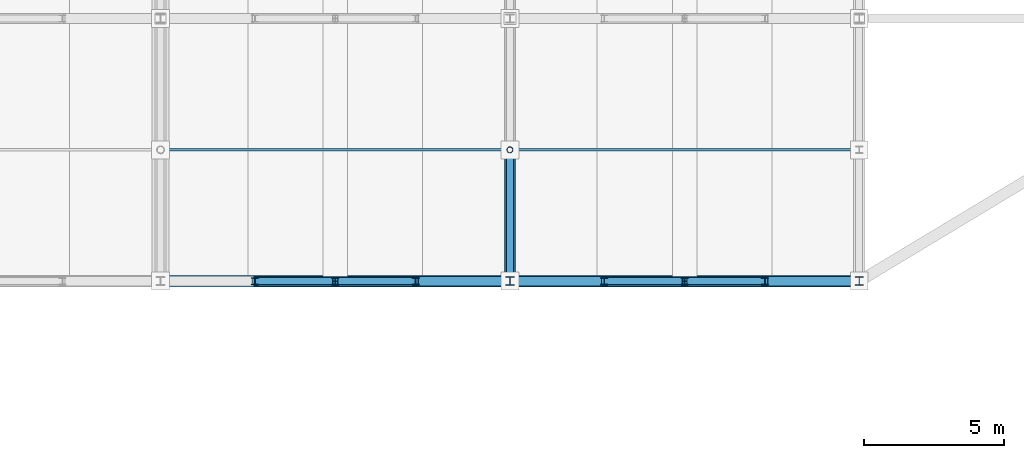
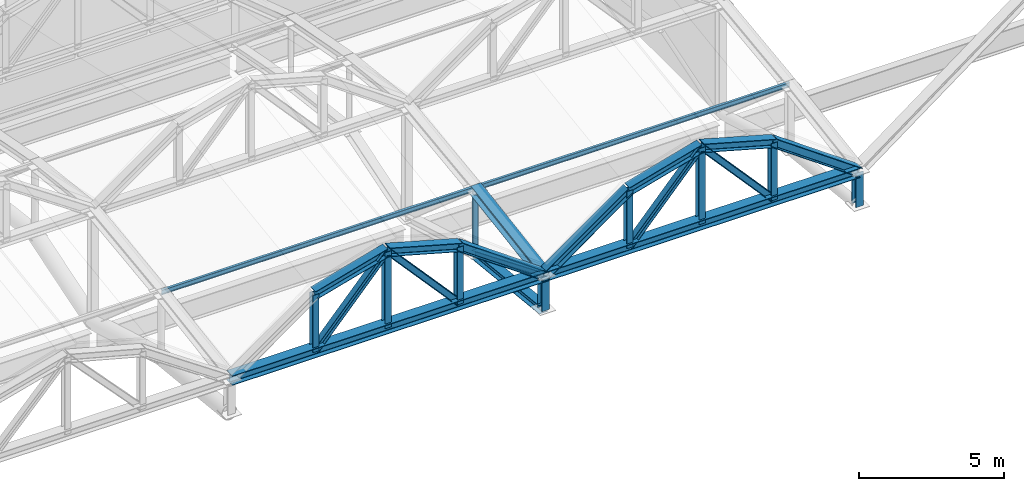
# One storey, part 68 of 117: 27 members.
"""IFC4 building model written with IfcOpenShell, lengths in metres."""

from ifc_helpers import new_model, si_unit, direction, frame, origin, origin_2d, place, context, subcontext, project, spatial, hollow_circle, i_section, extrude, material, material_profile, profile_set, type_object, element, save


model = new_model("IFC4")

# Units and contexts
model_context = context("Model", 3, precision=1e-05, world=origin(), true_north=direction((0.0, 1.0)))
body_context = subcontext(model_context, "Body", "Model", "MODEL_VIEW")
ifc_project = project(units=[si_unit("LENGTHUNIT", "METRE"), si_unit("AREAUNIT", "SQUARE_METRE"), si_unit("VOLUMEUNIT", "CUBIC_METRE"), si_unit("PLANEANGLEUNIT", "RADIAN"), si_unit("MASSUNIT", "GRAM", prefix="KILO")], contexts=[model_context])

# Site, building, storey
site_placement = place(None, origin())
site = spatial("IfcSite", under=ifc_project, at=site_placement, CompositionType="ELEMENT")
building_placement = place(site_placement, origin())
building = spatial("IfcBuilding", under=site, at=building_placement, Name="Kazenohara Klinker Stadium", CompositionType="ELEMENT")
storey_placement = place(building_placement, frame((0.0, 0.0, 31.199951171875)))
storey = spatial("IfcBuildingStorey", under=building, at=storey_placement, Name="RF", CompositionType="ELEMENT", Elevation=31.199951171875)

# Members
ifc_material = material(Name="Steel S355", Category="steel")
ifc_material_profile_1 = material_profile(ifc_material, i_section(OverallWidth=0.25, OverallDepth=0.25, WebThickness=0.009033203125, FlangeThickness=0.013916015625, FilletRadius=0.012939453125, at=origin_2d()), Name="H-250x250x9x14")
ifc_profile_set_1 = profile_set([ifc_material_profile_1], Name="Steel S355")
member_type_1 = type_object("IfcMemberType", Name="MEM-BRC02", PredefinedType="BRACE", material=ifc_profile_set_1)
member_1_placement = place(storey_placement, frame((137.5, 127.300048828125, 1.35009765625), z_axis=(0.0, -0.923659284192, 0.383214726655), x_axis=(1.0, 0.0, 0.0)))
element("IfcMember", 1, at=member_1_placement, inside=storey, type_object=member_type_1, Name="ROOF TRUSS RT-N07 web diagonal 5", PredefinedType="BRACE", context=body_context, shape_type="SweptSolid", body=[
    extrude(i_section(OverallWidth=0.25, OverallDepth=0.25, WebThickness=0.009033203125, FlangeThickness=0.013916015625, FilletRadius=0.012939453125, at=origin_2d()), origin(), (0.0, 0.0, 1.0), 5.08837890625),
])
ifc_material_profile_2 = material_profile(ifc_material, i_section(OverallWidth=0.39990234375, OverallDepth=0.39990234375, WebThickness=0.012939453125, FlangeThickness=0.02099609375, FilletRadius=0.02197265625, at=origin_2d()), Name="H-400x400x13x21")
ifc_profile_set_2 = profile_set([ifc_material_profile_2], Name="Steel S355")
member_type_2 = type_object("IfcMemberType", Name="MEM-CHD01", PredefinedType="CHORD", material=ifc_profile_set_2)
member_2_placement = place(storey_placement, frame((137.5, 127.300048828125, 4.050048828125), z_axis=(0.0, -0.987505848374, -0.157582357602), x_axis=(1.0, 0.0, 0.0)))
element("IfcMember", 2, at=member_2_placement, inside=storey, type_object=member_type_2, Name="ROOF TRUSS RT-N07 top arched chord 5", PredefinedType="CHORD", context=body_context, shape_type="SweptSolid", body=[
    extrude(i_section(OverallWidth=0.39990234375, OverallDepth=0.39990234375, WebThickness=0.012939453125, FlangeThickness=0.02099609375, FilletRadius=0.02197265625, at=origin_2d()), origin(), (0.0, 0.0, 1.0), 4.759521484375),
])
for number, where, z_axis, x_axis, name in (
    (3, (125.0, 122.60009765625, 3.300048828125), (1.0, 0.0, 0.0), (0.0, 1.0, 0.0), "Inner tension ring chord TC01 segment 14"),
    (4, (137.5, 122.60009765625, 3.300048828125), (1.0, 0.0, 0.0), (0.0, 1.0, 0.0), "Inner tension ring chord TC01 segment 15"),
):
    element("IfcMember", number, at=place(storey_placement, frame(where, z_axis=z_axis, x_axis=x_axis)), inside=storey, type_object=member_type_2, Name=name, PredefinedType="CHORD", context=body_context, shape_type="SweptSolid", body=[
        extrude(i_section(OverallWidth=0.39990234375, OverallDepth=0.39990234375, WebThickness=0.012939453125, FlangeThickness=0.02099609375, FilletRadius=0.02197265625, at=origin_2d()), origin(), (0.0, 0.0, 1.0), 12.5),
    ])
ifc_material_profile_3 = material_profile(ifc_material, i_section(OverallWidth=0.35009765625, OverallDepth=0.35009765625, WebThickness=0.011962890625, FlangeThickness=0.01904296875, FilletRadius=0.012939453125, at=origin_2d()), Name="H-350x350x12x19")
ifc_profile_set_3 = profile_set([ifc_material_profile_3], Name="Steel S355")
member_type_3 = type_object("IfcMemberType", Name="MEM-CHD02", PredefinedType="CHORD", material=ifc_profile_set_3)
member_3_placement = place(storey_placement, frame((137.5, 127.300048828125, 1.35009765625), z_axis=(0.0, -0.99438879757, 0.105787141313), x_axis=(1.0, 0.0, 0.0)))
element("IfcMember", 5, at=member_3_placement, inside=storey, type_object=member_type_3, Name="ROOF TRUSS RT-N07 bottom arched chord 5", PredefinedType="CHORD", context=body_context, shape_type="SweptSolid", body=[
    extrude(i_section(OverallWidth=0.35009765625, OverallDepth=0.35009765625, WebThickness=0.011962890625, FlangeThickness=0.01904296875, FilletRadius=0.012939453125, at=origin_2d()), origin(), (0.0, 0.0, 1.0), 4.7265625),
])
for number, where, z_axis, x_axis, name in (
    (6, (128.375, 122.60009765625, 5.699951171875), (0.963393567269, 0.0, 0.268091093745), (0.0, 1.0, 0.0), "Barrel arch top rib TC02 N-06-N5-S2"),
    (7, (131.25, 122.60009765625, 6.5), (0.963393567269, 0.0, -0.268091093745), (0.0, 1.0, 0.0), "Barrel arch top rib TC02 N-06-N5-S3"),
):
    element("IfcMember", number, at=place(storey_placement, frame(where, z_axis=z_axis, x_axis=x_axis)), inside=storey, type_object=member_type_3, Name=name, PredefinedType="CHORD", context=body_context, shape_type="SweptSolid", body=[
        extrude(i_section(OverallWidth=0.35009765625, OverallDepth=0.35009765625, WebThickness=0.011962890625, FlangeThickness=0.01904296875, FilletRadius=0.012939453125, at=origin_2d()), origin(), (0.0, 0.0, 1.0), 2.984130859375),
    ])
for number, where, z_axis, x_axis, name in (
    (8, (134.125, 122.60009765625, 5.699951171875), (0.814966461491, 0.0, -0.579508124744), (0.0, 1.0, 0.0), "Barrel arch top rib TC02 N-06-N5-S4"),
    (9, (137.5, 122.60009765625, 3.300048828125), (0.814966461491, 0.0, 0.579508124744), (0.0, 1.0, 0.0), "Barrel arch top rib TC02 N-07-N5-S1"),
):
    element("IfcMember", number, at=place(storey_placement, frame(where, z_axis=z_axis, x_axis=x_axis)), inside=storey, type_object=member_type_3, Name=name, PredefinedType="CHORD", context=body_context, shape_type="SweptSolid", body=[
        extrude(i_section(OverallWidth=0.35009765625, OverallDepth=0.35009765625, WebThickness=0.011962890625, FlangeThickness=0.01904296875, FilletRadius=0.012939453125, at=origin_2d()), origin(), (0.0, 0.0, 1.0), 4.141357421875),
    ])
for number, where, z_axis, x_axis, name in (
    (10, (140.875, 122.60009765625, 5.699951171875), (0.963393567269, 0.0, 0.268091093745), (0.0, 1.0, 0.0), "Barrel arch top rib TC02 N-07-N5-S2"),
    (11, (143.75, 122.60009765625, 6.5), (0.963393567269, 0.0, -0.268091093745), (0.0, 1.0, 0.0), "Barrel arch top rib TC02 N-07-N5-S3"),
):
    element("IfcMember", number, at=place(storey_placement, frame(where, z_axis=z_axis, x_axis=x_axis)), inside=storey, type_object=member_type_3, Name=name, PredefinedType="CHORD", context=body_context, shape_type="SweptSolid", body=[
        extrude(i_section(OverallWidth=0.35009765625, OverallDepth=0.35009765625, WebThickness=0.011962890625, FlangeThickness=0.01904296875, FilletRadius=0.012939453125, at=origin_2d()), origin(), (0.0, 0.0, 1.0), 2.984130859375),
    ])
member_4_placement = place(storey_placement, frame((146.625, 122.60009765625, 5.699951171875), z_axis=(0.814966461491, 0.0, -0.579508124744), x_axis=(0.0, 1.0, 0.0)))
element("IfcMember", 12, at=member_4_placement, inside=storey, type_object=member_type_3, Name="Barrel arch top rib TC02 N-07-N5-S4", PredefinedType="CHORD", context=body_context, shape_type="SweptSolid", body=[
    extrude(i_section(OverallWidth=0.35009765625, OverallDepth=0.35009765625, WebThickness=0.011962890625, FlangeThickness=0.01904296875, FilletRadius=0.012939453125, at=origin_2d()), origin(), (0.0, 0.0, 1.0), 4.141357421875),
])
ifc_material_profile_4 = material_profile(ifc_material, i_section(OverallWidth=0.10009765625, OverallDepth=0.199951171875, WebThickness=0.005615234375, FlangeThickness=0.008056640625, FilletRadius=0.008056640625, at=origin_2d()), Name="H-200x100x5.5x8")
ifc_profile_set_4 = profile_set([ifc_material_profile_4], Name="Steel S355")
member_type_4 = type_object("IfcMemberType", Name="MEM-PUR02", PredefinedType="PURLIN", material=ifc_profile_set_4)
for number, where, z_axis, x_axis, name in (
    (13, (125.0, 127.300048828125, 4.070068359375), (1.0, 0.0, 0.0), (0.0, 1.0, 0.0), "Canopy valley tie purlin PR02 N-06-N4"),
    (14, (137.5, 127.300048828125, 4.070068359375), (1.0, 0.0, 0.0), (0.0, 1.0, 0.0), "Canopy valley tie purlin PR02 N-07-N4"),
):
    element("IfcMember", number, at=place(storey_placement, frame(where, z_axis=z_axis, x_axis=x_axis)), inside=storey, type_object=member_type_4, Name=name, PredefinedType="PURLIN", context=body_context, shape_type="SweptSolid", body=[
        extrude(i_section(OverallWidth=0.10009765625, OverallDepth=0.199951171875, WebThickness=0.005615234375, FlangeThickness=0.008056640625, FilletRadius=0.008056640625, at=origin_2d()), origin(), (0.0, 0.0, 1.0), 12.5),
    ])
ifc_material_profile_5 = material_profile(ifc_material, i_section(OverallWidth=0.300048828125, OverallDepth=0.300048828125, WebThickness=0.010009765625, FlangeThickness=0.014892578125, FilletRadius=0.012939453125, at=origin_2d()), Name="H-300x300x10x15")
ifc_profile_set_5 = profile_set([ifc_material_profile_5], Name="Steel S355")
member_type_5 = type_object("IfcMemberType", Name="MEM-STR01", PredefinedType="STRUT", material=ifc_profile_set_5)
for number, where, z_axis, x_axis, name in (
    (15, (137.5, 122.60009765625, 1.85009765625), (0.0, 0.0, 1.0), (1.0, 0.0, 0.0), "ROOF TRUSS RT-N07 web post 6"),
    (16, (150.0, 122.60009765625, 1.85009765625), (0.0, 0.0, 1.0), (1.0, 0.0, 0.0), "ROOF TRUSS RT-N08 web post 6"),
):
    element("IfcMember", number, at=place(storey_placement, frame(where, z_axis=z_axis, x_axis=x_axis)), inside=storey, type_object=member_type_5, Name=name, PredefinedType="STRUT", context=body_context, shape_type="SweptSolid", body=[
        extrude(i_section(OverallWidth=0.300048828125, OverallDepth=0.300048828125, WebThickness=0.010009765625, FlangeThickness=0.014892578125, FilletRadius=0.012939453125, at=origin_2d()), origin(), (0.0, 0.0, 1.0), 1.449951171875),
    ])
ifc_material_profile_6 = material_profile(ifc_material, i_section(OverallWidth=0.25, OverallDepth=0.25, WebThickness=0.009033203125, FlangeThickness=0.013916015625, FilletRadius=0.012939453125, at=origin_2d()), Name="H-250x250x9x14")
ifc_profile_set_6 = profile_set([ifc_material_profile_6], Name="Steel S355")
member_type_6 = type_object("IfcMemberType", Name="MEM-STR02", PredefinedType="STRUT", material=ifc_profile_set_6)
member_5_placement = place(storey_placement, frame((128.375, 122.60009765625, 3.300048828125), z_axis=(0.0, 0.0, 1.0), x_axis=(1.0, 0.0, 0.0)))
element("IfcMember", 17, at=member_5_placement, inside=storey, type_object=member_type_6, Name="Barrel arch web post TS02 N-06-N5-P1", PredefinedType="STRUT", context=body_context, shape_type="SweptSolid", body=[
    extrude(i_section(OverallWidth=0.25, OverallDepth=0.25, WebThickness=0.009033203125, FlangeThickness=0.013916015625, FilletRadius=0.012939453125, at=origin_2d()), origin(), (0.0, 0.0, 1.0), 2.39990234375),
])
member_6_placement = place(storey_placement, frame((131.25, 122.60009765625, 3.300048828125), z_axis=(0.0, 0.0, 1.0), x_axis=(1.0, 0.0, 0.0)))
element("IfcMember", 18, at=member_6_placement, inside=storey, type_object=member_type_6, Name="Barrel arch web post TS02 N-06-N5-P2", PredefinedType="STRUT", context=body_context, shape_type="SweptSolid", body=[
    extrude(i_section(OverallWidth=0.25, OverallDepth=0.25, WebThickness=0.009033203125, FlangeThickness=0.013916015625, FilletRadius=0.012939453125, at=origin_2d()), origin(), (0.0, 0.0, 1.0), 3.199951171875),
])
member_7_placement = place(storey_placement, frame((134.125, 122.60009765625, 3.300048828125), z_axis=(0.0, 0.0, 1.0), x_axis=(1.0, 0.0, 0.0)))
element("IfcMember", 19, at=member_7_placement, inside=storey, type_object=member_type_6, Name="Barrel arch web post TS02 N-06-N5-P3", PredefinedType="STRUT", context=body_context, shape_type="SweptSolid", body=[
    extrude(i_section(OverallWidth=0.25, OverallDepth=0.25, WebThickness=0.009033203125, FlangeThickness=0.013916015625, FilletRadius=0.012939453125, at=origin_2d()), origin(), (0.0, 0.0, 1.0), 2.39990234375),
])
for number, where, z_axis, x_axis, name in (
    (20, (128.375, 122.60009765625, 3.300048828125), (0.668327970369, 0.0, 0.74386673808), (0.0, 1.0, 0.0), "Barrel arch web diagonal TS02 N-06-N5-D1"),
    (21, (134.125, 122.60009765625, 3.300048828125), (-0.668327970369, 0.0, 0.74386673808), (0.0, -1.0, 0.0), "Barrel arch web diagonal TS02 N-06-N5-D2"),
):
    element("IfcMember", number, at=place(storey_placement, frame(where, z_axis=z_axis, x_axis=x_axis)), inside=storey, type_object=member_type_6, Name=name, PredefinedType="STRUT", context=body_context, shape_type="SweptSolid", body=[
        extrude(i_section(OverallWidth=0.25, OverallDepth=0.25, WebThickness=0.009033203125, FlangeThickness=0.013916015625, FilletRadius=0.012939453125, at=origin_2d()), origin(), (0.0, 0.0, 1.0), 4.3017578125),
    ])
member_8_placement = place(storey_placement, frame((140.875, 122.60009765625, 3.300048828125), z_axis=(0.0, 0.0, 1.0), x_axis=(1.0, 0.0, 0.0)))
element("IfcMember", 22, at=member_8_placement, inside=storey, type_object=member_type_6, Name="Barrel arch web post TS02 N-07-N5-P1", PredefinedType="STRUT", context=body_context, shape_type="SweptSolid", body=[
    extrude(i_section(OverallWidth=0.25, OverallDepth=0.25, WebThickness=0.009033203125, FlangeThickness=0.013916015625, FilletRadius=0.012939453125, at=origin_2d()), origin(), (0.0, 0.0, 1.0), 2.39990234375),
])
member_9_placement = place(storey_placement, frame((143.75, 122.60009765625, 3.300048828125), z_axis=(0.0, 0.0, 1.0), x_axis=(1.0, 0.0, 0.0)))
element("IfcMember", 23, at=member_9_placement, inside=storey, type_object=member_type_6, Name="Barrel arch web post TS02 N-07-N5-P2", PredefinedType="STRUT", context=body_context, shape_type="SweptSolid", body=[
    extrude(i_section(OverallWidth=0.25, OverallDepth=0.25, WebThickness=0.009033203125, FlangeThickness=0.013916015625, FilletRadius=0.012939453125, at=origin_2d()), origin(), (0.0, 0.0, 1.0), 3.199951171875),
])
member_10_placement = place(storey_placement, frame((146.625, 122.60009765625, 3.300048828125), z_axis=(0.0, 0.0, 1.0), x_axis=(1.0, 0.0, 0.0)))
element("IfcMember", 24, at=member_10_placement, inside=storey, type_object=member_type_6, Name="Barrel arch web post TS02 N-07-N5-P3", PredefinedType="STRUT", context=body_context, shape_type="SweptSolid", body=[
    extrude(i_section(OverallWidth=0.25, OverallDepth=0.25, WebThickness=0.009033203125, FlangeThickness=0.013916015625, FilletRadius=0.012939453125, at=origin_2d()), origin(), (0.0, 0.0, 1.0), 2.39990234375),
])
for number, where, z_axis, x_axis, name in (
    (25, (140.875, 122.60009765625, 3.300048828125), (0.668327970369, 0.0, 0.74386673808), (0.0, 1.0, 0.0), "Barrel arch web diagonal TS02 N-07-N5-D1"),
    (26, (146.625, 122.60009765625, 3.300048828125), (-0.668327970369, 0.0, 0.74386673808), (0.0, -1.0, 0.0), "Barrel arch web diagonal TS02 N-07-N5-D2"),
):
    element("IfcMember", number, at=place(storey_placement, frame(where, z_axis=z_axis, x_axis=x_axis)), inside=storey, type_object=member_type_6, Name=name, PredefinedType="STRUT", context=body_context, shape_type="SweptSolid", body=[
        extrude(i_section(OverallWidth=0.25, OverallDepth=0.25, WebThickness=0.009033203125, FlangeThickness=0.013916015625, FilletRadius=0.012939453125, at=origin_2d()), origin(), (0.0, 0.0, 1.0), 4.3017578125),
    ])
ifc_material_profile_7 = material_profile(ifc_material, hollow_circle(Radius=0.108154296875, WallThickness=0.008056640625, at=origin_2d()), Name="CHS-216.3x8")
ifc_profile_set_7 = profile_set([ifc_material_profile_7], Name="Steel S355")
member_type_7 = type_object("IfcMemberType", Name="MEM-STR04", PredefinedType="STRUT", material=ifc_profile_set_7)
member_11_placement = place(storey_placement, frame((137.5, 127.300048828125, 1.35009765625), z_axis=(0.0, 0.0, 1.0), x_axis=(1.0, 0.0, 0.0)))
element("IfcMember", 27, at=member_11_placement, inside=storey, type_object=member_type_7, Name="ROOF TRUSS RT-N07 web post 5", PredefinedType="STRUT", context=body_context, shape_type="SweptSolid", body=[
    extrude(hollow_circle(Radius=0.108154296875, WallThickness=0.008056640625, at=origin_2d()), origin(), (0.0, 0.0, 1.0), 2.699951171875),
])

save(model, "model.ifc")
